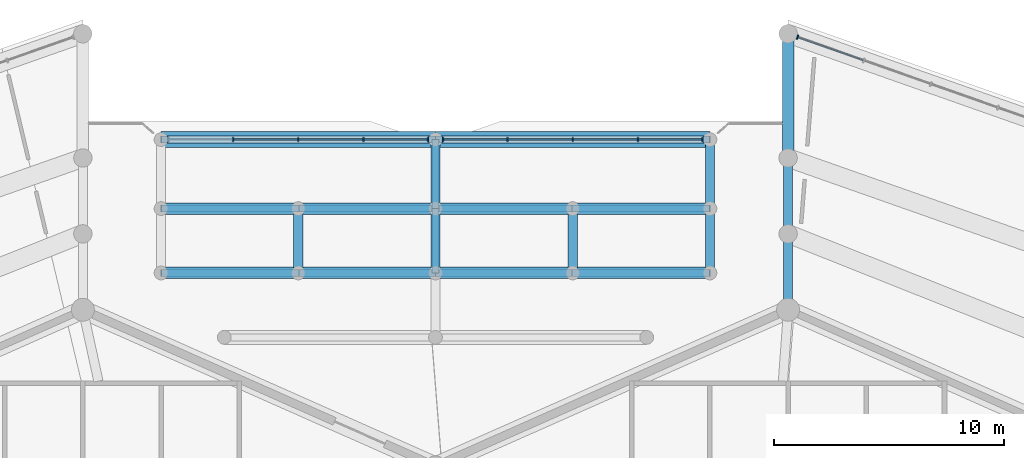
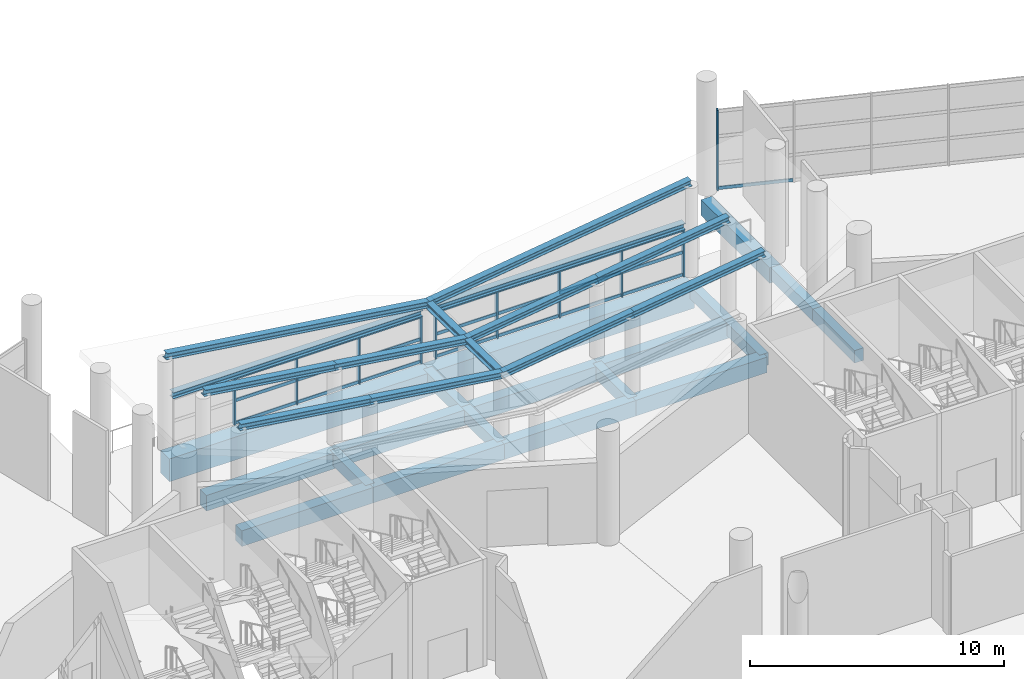
# One storey, part 89 of 271: 33 beams, 32 members, 3 elements without a shape of their own.
"""IFC4 building model written with IfcOpenShell, lengths in metres."""

from ifc_helpers import new_model, si_unit, direction, frame, origin, origin_2d, place, context, subcontext, project, spatial, rectangle, i_section, extrude, material, layer, layer_set, material_profile, profile_set, type_object, element, aggregate, save


model = new_model("IFC4")

# Units and contexts
model_context = context("Model", 3, precision=1e-05, world=origin(), true_north=direction((0.0, 1.0)))
body_context = subcontext(model_context, "Body", "Model", "MODEL_VIEW")
ifc_project = project(units=[si_unit("LENGTHUNIT", "METRE"), si_unit("AREAUNIT", "SQUARE_METRE"), si_unit("VOLUMEUNIT", "CUBIC_METRE"), si_unit("PLANEANGLEUNIT", "RADIAN"), si_unit("MASSUNIT", "GRAM", prefix="KILO")], contexts=[model_context])

# Site, building, storey
site_placement = place(None, origin())
site = spatial("IfcSite", under=ifc_project, at=site_placement, CompositionType="ELEMENT")
building_placement = place(site_placement, origin())
building = spatial("IfcBuilding", under=site, at=building_placement, Name="Meseta Stadium", CompositionType="ELEMENT")
storey_placement = place(building_placement, frame((0.0, 0.0, 6.5)))
storey = spatial("IfcBuildingStorey", under=building, at=storey_placement, Name="L01", CompositionType="ELEMENT", Elevation=6.5)

# Beams
ifc_material_1 = material(Name="Steel S355", Category="steel")
ifc_material_profile_1 = material_profile(ifc_material_1, i_section(OverallWidth=0.300048828125, OverallDepth=0.300048828125, WebThickness=0.010986328125, FlangeThickness=0.01904296875, FilletRadius=0.027099609375, at=origin_2d()), Name="HEB 300")
ifc_profile_set_1 = profile_set([ifc_material_profile_1], Name="Steel S355")
beam_type_1 = type_object("IfcBeamType", Name="Gate roof beam HEB 300", PredefinedType="BEAM", material=ifc_profile_set_1)
beam_1_placement = place(storey_placement, frame((-7.666748046875, 107.0, 2.875244140625), z_axis=(0.0, 0.999800721691, -0.019962888244), x_axis=(-1.0, 0.0, 0.0)))
element("IfcBeam", 1, at=beam_1_placement, inside=storey, type_object=beam_type_1, Name="Gate 3 valley beam", PredefinedType="BEAM", context=body_context, shape_type="SweptSolid", body=[
    extrude(i_section(OverallWidth=0.300048828125, OverallDepth=0.300048828125, WebThickness=0.010986328125, FlangeThickness=0.01904296875, FilletRadius=0.027099609375, at=origin_2d()), origin(), (0.0, 0.0, 1.0), 2.800537109375),
])
beam_2_placement = place(storey_placement, frame((-7.666748046875, 109.800048828125, 2.8193359375), z_axis=(0.0, 0.999799669399, -0.020015520725), x_axis=(-1.0, 0.0, 0.0)))
element("IfcBeam", 2, at=beam_2_placement, inside=storey, type_object=beam_type_1, Name="Gate 3 valley beam", PredefinedType="BEAM", context=body_context, shape_type="SweptSolid", body=[
    extrude(i_section(OverallWidth=0.300048828125, OverallDepth=0.300048828125, WebThickness=0.010986328125, FlangeThickness=0.01904296875, FilletRadius=0.027099609375, at=origin_2d()), origin(), (0.0, 0.0, 1.0), 3.00048828125),
])
beam_3_placement = place(storey_placement, frame((3.966796875, 112.800048828125, 2.44921875), z_axis=(-1.0, 0.0, 0.0), x_axis=(0.0, -1.0, 0.0)))
element("IfcBeam", 3, at=beam_3_placement, inside=storey, type_object=beam_type_1, Name="Gate 3 head beam", PredefinedType="BEAM", context=body_context, shape_type="SweptSolid", body=[
    extrude(i_section(OverallWidth=0.300048828125, OverallDepth=0.300048828125, WebThickness=0.010986328125, FlangeThickness=0.01904296875, FilletRadius=0.027099609375, at=origin_2d()), origin(), (0.0, 0.0, 1.0), 11.33349609375),
])
beam_4_placement = place(storey_placement, frame((-7.966796875, 112.800048828125, 2.44921875), z_axis=(-1.0, 0.0, 0.0), x_axis=(0.0, -1.0, 0.0)))
element("IfcBeam", 4, at=beam_4_placement, inside=storey, type_object=beam_type_1, Name="Gate 3 head beam", PredefinedType="BEAM", context=body_context, shape_type="SweptSolid", body=[
    extrude(i_section(OverallWidth=0.300048828125, OverallDepth=0.300048828125, WebThickness=0.010986328125, FlangeThickness=0.01904296875, FilletRadius=0.027099609375, at=origin_2d()), origin(), (0.0, 0.0, 1.0), 11.333251953125),
])
ifc_material_2 = material(Name="Steel S355", Category="steel")
ifc_material_profile_2 = material_profile(ifc_material_2, i_section(OverallWidth=0.300048828125, OverallDepth=0.300048828125, WebThickness=0.010986328125, FlangeThickness=0.01904296875, FilletRadius=0.027099609375, at=origin_2d()), Name="HEB 300")
ifc_profile_set_2 = profile_set([ifc_material_profile_2], Name="Steel S355")
beam_type_2 = type_object("IfcBeamType", Name="Gate roof beam HEB 300 rafter", PredefinedType="BEAM", material=ifc_profile_set_2)
beam_5_placement = place(storey_placement, frame((4.2666015625, 107.0, 4.5458984375), z_axis=(-0.990344306027, 0.0, -0.138629562213), x_axis=(0.0, -1.0, 0.0)))
element("IfcBeam", 5, at=beam_5_placement, inside=storey, type_object=beam_type_2, Name="Gate 3 roof rafter", PredefinedType="BEAM", context=body_context, shape_type="SweptSolid", body=[
    extrude(i_section(OverallWidth=0.300048828125, OverallDepth=0.300048828125, WebThickness=0.010986328125, FlangeThickness=0.01904296875, FilletRadius=0.027099609375, at=origin_2d()), origin(), (0.0, 0.0, 1.0), 6.024658203125),
])
beam_6_placement = place(storey_placement, frame((-1.699951171875, 107.0, 3.710693359375), z_axis=(-0.990339520978, 0.0, -0.13866374144), x_axis=(0.0, -1.0, 0.0)))
element("IfcBeam", 6, at=beam_6_placement, inside=storey, type_object=beam_type_2, Name="Gate 3 roof rafter", PredefinedType="BEAM", context=body_context, shape_type="SweptSolid", body=[
    extrude(i_section(OverallWidth=0.300048828125, OverallDepth=0.300048828125, WebThickness=0.010986328125, FlangeThickness=0.01904296875, FilletRadius=0.027099609375, at=origin_2d()), origin(), (0.0, 0.0, 1.0), 6.02490234375),
])
beam_7_placement = place(storey_placement, frame((-7.666748046875, 107.0, 2.875244140625), z_axis=(-0.990338741803, 0.0, 0.138669306209), x_axis=(0.0, -1.0, 0.0)))
element("IfcBeam", 7, at=beam_7_placement, inside=storey, type_object=beam_type_2, Name="Gate 3 roof rafter", PredefinedType="BEAM", context=body_context, shape_type="SweptSolid", body=[
    extrude(i_section(OverallWidth=0.300048828125, OverallDepth=0.300048828125, WebThickness=0.010986328125, FlangeThickness=0.01904296875, FilletRadius=0.027099609375, at=origin_2d()), origin(), (0.0, 0.0, 1.0), 6.024658203125),
])
beam_8_placement = place(storey_placement, frame((-13.63330078125, 107.0, 3.710693359375), z_axis=(-0.99034508476, 0.0, 0.138623998976), x_axis=(0.0, -1.0, 0.0)))
element("IfcBeam", 8, at=beam_8_placement, inside=storey, type_object=beam_type_2, Name="Gate 3 roof rafter", PredefinedType="BEAM", context=body_context, shape_type="SweptSolid", body=[
    extrude(i_section(OverallWidth=0.300048828125, OverallDepth=0.300048828125, WebThickness=0.010986328125, FlangeThickness=0.01904296875, FilletRadius=0.027099609375, at=origin_2d()), origin(), (0.0, 0.0, 1.0), 6.02490234375),
])
beam_9_placement = place(storey_placement, frame((4.2666015625, 109.800048828125, 4.489990234375), z_axis=(-0.990344306027, 0.0, -0.138629562213), x_axis=(0.0, -1.0, 0.0)))
element("IfcBeam", 9, at=beam_9_placement, inside=storey, type_object=beam_type_2, Name="Gate 3 roof rafter", PredefinedType="BEAM", context=body_context, shape_type="SweptSolid", body=[
    extrude(i_section(OverallWidth=0.300048828125, OverallDepth=0.300048828125, WebThickness=0.010986328125, FlangeThickness=0.01904296875, FilletRadius=0.027099609375, at=origin_2d()), origin(), (0.0, 0.0, 1.0), 6.024658203125),
])
beam_10_placement = place(storey_placement, frame((-1.699951171875, 109.800048828125, 3.65478515625), z_axis=(-0.990339520978, 0.0, -0.13866374144), x_axis=(0.0, -1.0, 0.0)))
element("IfcBeam", 10, at=beam_10_placement, inside=storey, type_object=beam_type_2, Name="Gate 3 roof rafter", PredefinedType="BEAM", context=body_context, shape_type="SweptSolid", body=[
    extrude(i_section(OverallWidth=0.300048828125, OverallDepth=0.300048828125, WebThickness=0.010986328125, FlangeThickness=0.01904296875, FilletRadius=0.027099609375, at=origin_2d()), origin(), (0.0, 0.0, 1.0), 6.02490234375),
])
beam_11_placement = place(storey_placement, frame((-7.666748046875, 109.800048828125, 2.8193359375), z_axis=(-0.990338741803, 0.0, 0.138669306209), x_axis=(0.0, -1.0, 0.0)))
element("IfcBeam", 11, at=beam_11_placement, inside=storey, type_object=beam_type_2, Name="Gate 3 roof rafter", PredefinedType="BEAM", context=body_context, shape_type="SweptSolid", body=[
    extrude(i_section(OverallWidth=0.300048828125, OverallDepth=0.300048828125, WebThickness=0.010986328125, FlangeThickness=0.01904296875, FilletRadius=0.027099609375, at=origin_2d()), origin(), (0.0, 0.0, 1.0), 6.024658203125),
])
beam_12_placement = place(storey_placement, frame((-13.63330078125, 109.800048828125, 3.65478515625), z_axis=(-0.99034508476, 0.0, 0.138623998976), x_axis=(0.0, -1.0, 0.0)))
element("IfcBeam", 12, at=beam_12_placement, inside=storey, type_object=beam_type_2, Name="Gate 3 roof rafter", PredefinedType="BEAM", context=body_context, shape_type="SweptSolid", body=[
    extrude(i_section(OverallWidth=0.300048828125, OverallDepth=0.300048828125, WebThickness=0.010986328125, FlangeThickness=0.01904296875, FilletRadius=0.027099609375, at=origin_2d()), origin(), (0.0, 0.0, 1.0), 6.02490234375),
])
for number, where, z_axis, x_axis, name in (
    (13, (4.2666015625, 112.800048828125, 4.429931640625), (-0.990341913595, 0.0, -0.138646652238), (0.0, -1.0, 0.0), "Gate 3 roof rafter"),
    (14, (-7.666748046875, 112.800048828125, 2.75927734375), (-0.990341913595, 0.0, 0.138646652238), (0.0, -1.0, 0.0), "Gate 3 roof rafter"),
):
    element("IfcBeam", number, at=place(storey_placement, frame(where, z_axis=z_axis, x_axis=x_axis)), inside=storey, type_object=beam_type_2, Name=name, PredefinedType="BEAM", context=body_context, shape_type="SweptSolid", body=[
        extrude(i_section(OverallWidth=0.300048828125, OverallDepth=0.300048828125, WebThickness=0.010986328125, FlangeThickness=0.01904296875, FilletRadius=0.027099609375, at=origin_2d()), origin(), (0.0, 0.0, 1.0), 12.0498046875),
    ])
ifc_material_3 = material(Name="Concrete C40/50", Category="concrete")
ifc_material_profile_3 = material_profile(ifc_material_3, rectangle(XDim=0.39990234375, YDim=0.60009765625, at=origin_2d()), Name="RC 400x600")
ifc_profile_set_3 = profile_set([ifc_material_profile_3], Name="Concrete C40/50")
beam_type_3 = type_object("IfcBeamType", Name="RC beam 400x600", PredefinedType="BEAM", material=ifc_profile_set_3)
for number, where, z_axis, x_axis, name in (
    (15, (7.666748046875, 105.39990234375, -0.64990234375), (0.0, 1.0, 0.0), (-1.0, 0.0, 0.0), "L01 radial beam frame 18 line R to M"),
    (16, (7.666748046875, 108.699951171875, -0.64990234375), (0.0, 1.0, 0.0), (-1.0, 0.0, 0.0), "L01 radial beam frame 18 line M to Q"),
):
    element("IfcBeam", number, at=place(storey_placement, frame(where, z_axis=z_axis, x_axis=x_axis)), inside=storey, type_object=beam_type_3, Name=name, PredefinedType="BEAM", context=body_context, shape_type="SweptSolid", body=[
        extrude(rectangle(XDim=0.39990234375, YDim=0.60009765625, at=origin_2d()), origin(), (0.0, 0.0, 1.0), 3.300048828125),
    ])
for number, where, z_axis, x_axis, name in (
    (17, (4.2666015625, 107.0, -0.64990234375), (0.0, 1.0, 0.0), (-1.0, 0.0, 0.0), "Gate 3 floor beam"),
    (18, (-1.699951171875, 107.0, -0.64990234375), (0.0, 1.0, 0.0), (-1.0, 0.0, 0.0), "Gate 3 floor beam"),
    (19, (-7.666748046875, 107.0, -0.64990234375), (0.0, 1.0, 0.0), (-1.0, 0.0, 0.0), "Gate 3 floor beam"),
    (20, (-13.63330078125, 107.0, -0.64990234375), (0.0, 1.0, 0.0), (-1.0, 0.0, 0.0), "Gate 3 floor beam"),
):
    element("IfcBeam", number, at=place(storey_placement, frame(where, z_axis=z_axis, x_axis=x_axis)), inside=storey, type_object=beam_type_3, Name=name, PredefinedType="BEAM", context=body_context, shape_type="SweptSolid", body=[
        extrude(rectangle(XDim=0.39990234375, YDim=0.60009765625, at=origin_2d()), origin(), (0.0, 0.0, 1.0), 2.800048828125),
    ])
for number, where, z_axis, x_axis, name in (
    (21, (4.2666015625, 109.800048828125, -0.64990234375), (0.0, 1.0, 0.0), (-1.0, 0.0, 0.0), "Gate 3 floor beam"),
    (22, (-7.666748046875, 109.800048828125, -0.64990234375), (0.0, 1.0, 0.0), (-1.0, 0.0, 0.0), "Gate 3 floor beam"),
):
    element("IfcBeam", number, at=place(storey_placement, frame(where, z_axis=z_axis, x_axis=x_axis)), inside=storey, type_object=beam_type_3, Name=name, PredefinedType="BEAM", context=body_context, shape_type="SweptSolid", body=[
        extrude(rectangle(XDim=0.39990234375, YDim=0.60009765625, at=origin_2d()), origin(), (0.0, 0.0, 1.0), 3.0),
    ])
ifc_material_4 = material(Name="Concrete C40/50", Category="concrete")
ifc_material_profile_4 = material_profile(ifc_material_4, rectangle(XDim=0.5, YDim=0.75, at=origin_2d()), Name="RC 500x750")
ifc_profile_set_4 = profile_set([ifc_material_profile_4], Name="Concrete C40/50")
beam_type_4 = type_object("IfcBeamType", Name="RC beam 500x750", PredefinedType="BEAM", material=ifc_profile_set_4)
beam_13_placement = place(storey_placement, frame((7.666748046875, 112.0, -0.72509765625), z_axis=(0.0, 1.0, 0.0), x_axis=(-1.0, 0.0, 0.0)))
element("IfcBeam", 23, at=beam_13_placement, inside=storey, type_object=beam_type_4, Name="L01 radial beam frame 18 line Q to O", PredefinedType="BEAM", context=body_context, shape_type="SweptSolid", body=[
    extrude(rectangle(XDim=0.5, YDim=0.75, at=origin_2d()), origin(), (0.0, 0.0, 1.0), 5.39990234375),
])
beam_14_placement = place(storey_placement, frame((4.2666015625, 107.0, -0.72509765625), z_axis=(-1.0, 0.0, 0.0), x_axis=(0.0, -1.0, 0.0)))
element("IfcBeam", 24, at=beam_14_placement, inside=storey, type_object=beam_type_4, Name="Gate 3 floor beam", PredefinedType="BEAM", context=body_context, shape_type="SweptSolid", body=[
    extrude(rectangle(XDim=0.5, YDim=0.75, at=origin_2d()), origin(), (0.0, 0.0, 1.0), 5.966552734375),
])
beam_15_placement = place(storey_placement, frame((-1.699951171875, 107.0, -0.72509765625), z_axis=(-1.0, 0.0, 0.0), x_axis=(0.0, -1.0, 0.0)))
element("IfcBeam", 25, at=beam_15_placement, inside=storey, type_object=beam_type_4, Name="Gate 3 floor beam", PredefinedType="BEAM", context=body_context, shape_type="SweptSolid", body=[
    extrude(rectangle(XDim=0.5, YDim=0.75, at=origin_2d()), origin(), (0.0, 0.0, 1.0), 5.966796875),
])
beam_16_placement = place(storey_placement, frame((-7.666748046875, 107.0, -0.72509765625), z_axis=(-1.0, 0.0, 0.0), x_axis=(0.0, -1.0, 0.0)))
element("IfcBeam", 26, at=beam_16_placement, inside=storey, type_object=beam_type_4, Name="Gate 3 floor beam", PredefinedType="BEAM", context=body_context, shape_type="SweptSolid", body=[
    extrude(rectangle(XDim=0.5, YDim=0.75, at=origin_2d()), origin(), (0.0, 0.0, 1.0), 5.966552734375),
])
beam_17_placement = place(storey_placement, frame((-13.63330078125, 107.0, -0.72509765625), z_axis=(-1.0, 0.0, 0.0), x_axis=(0.0, -1.0, 0.0)))
element("IfcBeam", 27, at=beam_17_placement, inside=storey, type_object=beam_type_4, Name="Gate 3 floor beam", PredefinedType="BEAM", context=body_context, shape_type="SweptSolid", body=[
    extrude(rectangle(XDim=0.5, YDim=0.75, at=origin_2d()), origin(), (0.0, 0.0, 1.0), 5.966796875),
])
beam_18_placement = place(storey_placement, frame((4.2666015625, 109.800048828125, -0.72509765625), z_axis=(-1.0, 0.0, 0.0), x_axis=(0.0, -1.0, 0.0)))
element("IfcBeam", 28, at=beam_18_placement, inside=storey, type_object=beam_type_4, Name="Gate 3 floor beam", PredefinedType="BEAM", context=body_context, shape_type="SweptSolid", body=[
    extrude(rectangle(XDim=0.5, YDim=0.75, at=origin_2d()), origin(), (0.0, 0.0, 1.0), 5.966552734375),
])
beam_19_placement = place(storey_placement, frame((-1.699951171875, 109.800048828125, -0.72509765625), z_axis=(-1.0, 0.0, 0.0), x_axis=(0.0, -1.0, 0.0)))
element("IfcBeam", 29, at=beam_19_placement, inside=storey, type_object=beam_type_4, Name="Gate 3 floor beam", PredefinedType="BEAM", context=body_context, shape_type="SweptSolid", body=[
    extrude(rectangle(XDim=0.5, YDim=0.75, at=origin_2d()), origin(), (0.0, 0.0, 1.0), 5.966796875),
])
beam_20_placement = place(storey_placement, frame((-7.666748046875, 109.800048828125, -0.72509765625), z_axis=(-1.0, 0.0, 0.0), x_axis=(0.0, -1.0, 0.0)))
element("IfcBeam", 30, at=beam_20_placement, inside=storey, type_object=beam_type_4, Name="Gate 3 floor beam", PredefinedType="BEAM", context=body_context, shape_type="SweptSolid", body=[
    extrude(rectangle(XDim=0.5, YDim=0.75, at=origin_2d()), origin(), (0.0, 0.0, 1.0), 5.966552734375),
])
beam_21_placement = place(storey_placement, frame((-13.63330078125, 109.800048828125, -0.72509765625), z_axis=(-1.0, 0.0, 0.0), x_axis=(0.0, -1.0, 0.0)))
element("IfcBeam", 31, at=beam_21_placement, inside=storey, type_object=beam_type_4, Name="Gate 3 floor beam", PredefinedType="BEAM", context=body_context, shape_type="SweptSolid", body=[
    extrude(rectangle(XDim=0.5, YDim=0.75, at=origin_2d()), origin(), (0.0, 0.0, 1.0), 5.966796875),
])
ifc_material_5 = material(Name="Concrete C40/50", Category="concrete")
ifc_material_profile_5 = material_profile(ifc_material_5, rectangle(XDim=0.699951171875, YDim=1.10009765625, at=origin_2d()), Name="RC 700x1100")
ifc_profile_set_5 = profile_set([ifc_material_profile_5], Name="Concrete C40/50")
beam_type_5 = type_object("IfcBeamType", Name="RC beam 700x1100", PredefinedType="BEAM", material=ifc_profile_set_5)
for number, where, z_axis, x_axis, name in (
    (32, (4.2666015625, 112.800048828125, -0.89990234375), (-1.0, 0.0, 0.0), (0.0, -1.0, 0.0), "Gate 3 floor beam"),
    (33, (-7.666748046875, 112.800048828125, -0.89990234375), (-1.0, 0.0, 0.0), (0.0, -1.0, 0.0), "Gate 3 floor beam"),
):
    element("IfcBeam", number, at=place(storey_placement, frame(where, z_axis=z_axis, x_axis=x_axis)), inside=storey, type_object=beam_type_5, Name=name, PredefinedType="BEAM", context=body_context, shape_type="SweptSolid", body=[
        extrude(rectangle(XDim=0.699951171875, YDim=1.10009765625, at=origin_2d()), origin(), (0.0, 0.0, 1.0), 11.933349609375),
    ])

# Curtain wall, member
ifc_material_6 = material(Name="Aluminium", Category="aluminium")
ifc_layer_1 = layer(ifc_material_6, 0.199951171875)
ifc_layer_set_1 = layer_set([ifc_layer_1], Name="Ring shopfront curtain wall")
curtain_wall_type_1 = type_object("IfcCurtainWallType", Name="Ring shopfront curtain wall", PredefinedType="NOTDEFINED", material=ifc_layer_set_1)
curtain_wall_1_placement = place(storey_placement, origin())
curtain_wall_1 = element("IfcCurtainWall", 34, at=curtain_wall_1_placement, inside=storey, type_object=curtain_wall_type_1, Name="Ring glazing L01 F17", PredefinedType="NOTDEFINED")
ifc_material_7 = material(Name="Aluminium", Category="aluminium")
ifc_material_profile_6 = material_profile(ifc_material_7, rectangle(XDim=0.199951171875, YDim=0.06005859375, at=origin_2d()), Name="CW 200x60")
ifc_profile_set_6 = profile_set([ifc_material_profile_6], Name="Aluminium")
member_type_1 = type_object("IfcMemberType", Name="Ring CW mullion 60x200", PredefinedType="MULLION", material=ifc_profile_set_6)
member_1_placement = place(storey_placement, frame((8.072265625, 117.257080078125, 0.0), z_axis=(0.0, 0.0, 1.0), x_axis=(-0.332174330154, -0.943218009999, 0.0)))
member_1 = element("IfcMember", 35, at=member_1_placement, type_object=member_type_1, Name="CWR1 mullion 6", PredefinedType="MULLION", context=body_context, shape_type="SweptSolid", body=[
    extrude(rectangle(XDim=0.199951171875, YDim=0.06005859375, at=origin_2d()), origin(), (0.0, 0.0, 1.0), 3.85009765625),
])

# Curtain wall, members
ifc_material_8 = material(Name="Aluminium", Category="aluminium")
ifc_layer_2 = layer(ifc_material_8, 0.199951171875)
ifc_layer_set_2 = layer_set([ifc_layer_2], Name="Gate hall curtain wall")
curtain_wall_type_2 = type_object("IfcCurtainWallType", Name="Gate hall curtain wall", PredefinedType="NOTDEFINED", material=ifc_layer_set_2)
curtain_wall_2_placement = place(storey_placement, origin())
curtain_wall_2 = element("IfcCurtainWall", 36, at=curtain_wall_2_placement, inside=storey, type_object=curtain_wall_type_2, Name="Gate 3 hall glazing", PredefinedType="NOTDEFINED")
member_2_placement = place(storey_placement, frame((-7.336669921875, 112.800048828125, 0.0), z_axis=(0.0, 0.0, 1.0), x_axis=(0.0, 1.0, 0.0)))
member_2 = element("IfcMember", 37, at=member_2_placement, type_object=member_type_1, Name="CWG1 mullion 1", PredefinedType="MULLION", context=body_context, shape_type="SweptSolid", body=[
    extrude(rectangle(XDim=0.199951171875, YDim=0.06005859375, at=origin_2d()), origin(), (0.0, 0.0, 1.0), 2.29931640625),
])
member_3_placement = place(storey_placement, frame((-4.533447265625, 112.800048828125, 0.0), z_axis=(0.0, 0.0, 1.0), x_axis=(0.0, 1.0, 0.0)))
member_3 = element("IfcMember", 38, at=member_3_placement, type_object=member_type_1, Name="CWG1 mullion 2", PredefinedType="MULLION", context=body_context, shape_type="SweptSolid", body=[
    extrude(rectangle(XDim=0.199951171875, YDim=0.06005859375, at=origin_2d()), origin(), (0.0, 0.0, 1.0), 2.29931640625),
])
member_4_placement = place(storey_placement, frame((-1.699951171875, 112.800048828125, 0.0), z_axis=(0.0, 0.0, 1.0), x_axis=(0.0, 1.0, 0.0)))
member_4 = element("IfcMember", 39, at=member_4_placement, type_object=member_type_1, Name="CWG1 mullion 3", PredefinedType="MULLION", context=body_context, shape_type="SweptSolid", body=[
    extrude(rectangle(XDim=0.199951171875, YDim=0.06005859375, at=origin_2d()), origin(), (0.0, 0.0, 1.0), 2.29931640625),
])
member_5_placement = place(storey_placement, frame((1.13330078125, 112.800048828125, 0.0), z_axis=(0.0, 0.0, 1.0), x_axis=(0.0, 1.0, 0.0)))
member_5 = element("IfcMember", 40, at=member_5_placement, type_object=member_type_1, Name="CWG1 mullion 4", PredefinedType="MULLION", context=body_context, shape_type="SweptSolid", body=[
    extrude(rectangle(XDim=0.199951171875, YDim=0.06005859375, at=origin_2d()), origin(), (0.0, 0.0, 1.0), 2.29931640625),
])
member_6_placement = place(storey_placement, frame((3.936767578125, 112.800048828125, 0.0), z_axis=(0.0, 0.0, 1.0), x_axis=(0.0, 1.0, 0.0)))
member_6 = element("IfcMember", 41, at=member_6_placement, type_object=member_type_1, Name="CWG1 mullion 5", PredefinedType="MULLION", context=body_context, shape_type="SweptSolid", body=[
    extrude(rectangle(XDim=0.199951171875, YDim=0.06005859375, at=origin_2d()), origin(), (0.0, 0.0, 1.0), 2.29931640625),
])

curtain_wall_3_placement = place(storey_placement, origin())
curtain_wall_3 = element("IfcCurtainWall", 42, at=curtain_wall_3_placement, inside=storey, type_object=curtain_wall_type_2, Name="Gate 3 hall glazing", PredefinedType="NOTDEFINED")
member_7_placement = place(storey_placement, frame((-16.466796875, 112.800048828125, 0.0), z_axis=(0.0, 0.0, 1.0), x_axis=(0.0, 1.0, 0.0)))
member_7 = element("IfcMember", 43, at=member_7_placement, type_object=member_type_1, Name="CWG1 mullion 2", PredefinedType="MULLION", context=body_context, shape_type="SweptSolid", body=[
    extrude(rectangle(XDim=0.199951171875, YDim=0.06005859375, at=origin_2d()), origin(), (0.0, 0.0, 1.0), 2.29931640625),
])
member_8_placement = place(storey_placement, frame((-13.63330078125, 112.800048828125, 0.0), z_axis=(0.0, 0.0, 1.0), x_axis=(0.0, 1.0, 0.0)))
member_8 = element("IfcMember", 44, at=member_8_placement, type_object=member_type_1, Name="CWG1 mullion 3", PredefinedType="MULLION", context=body_context, shape_type="SweptSolid", body=[
    extrude(rectangle(XDim=0.199951171875, YDim=0.06005859375, at=origin_2d()), origin(), (0.0, 0.0, 1.0), 2.29931640625),
])
member_9_placement = place(storey_placement, frame((-10.800048828125, 112.800048828125, 0.0), z_axis=(0.0, 0.0, 1.0), x_axis=(0.0, 1.0, 0.0)))
member_9 = element("IfcMember", 45, at=member_9_placement, type_object=member_type_1, Name="CWG1 mullion 4", PredefinedType="MULLION", context=body_context, shape_type="SweptSolid", body=[
    extrude(rectangle(XDim=0.199951171875, YDim=0.06005859375, at=origin_2d()), origin(), (0.0, 0.0, 1.0), 2.29931640625),
])
member_10_placement = place(storey_placement, frame((-7.99658203125, 112.800048828125, 0.0), z_axis=(0.0, 0.0, 1.0), x_axis=(0.0, 1.0, 0.0)))
member_10 = element("IfcMember", 46, at=member_10_placement, type_object=member_type_1, Name="CWG1 mullion 5", PredefinedType="MULLION", context=body_context, shape_type="SweptSolid", body=[
    extrude(rectangle(XDim=0.199951171875, YDim=0.06005859375, at=origin_2d()), origin(), (0.0, 0.0, 1.0), 2.29931640625),
])

# Member
ifc_material_9 = material(Name="Aluminium", Category="aluminium")
ifc_material_profile_7 = material_profile(ifc_material_9, rectangle(XDim=0.06005859375, YDim=0.14990234375, at=origin_2d()), Name="CW 60x150")
ifc_profile_set_7 = profile_set([ifc_material_profile_7], Name="Aluminium")
member_type_2 = type_object("IfcMemberType", Name="Ring CW transom 60x150", PredefinedType="USERDEFINED", material=ifc_profile_set_7)
member_11_placement = place(storey_placement, frame((10.931396484375, 116.250244140625, 0.074951171875), z_axis=(-0.943228878245, 0.332143467863, 0.0), x_axis=(-0.332143467863, -0.943228878245, 0.0)))
member_11 = element("IfcMember", 47, at=member_11_placement, type_object=member_type_2, Name="CWR1 transom 5.1", ObjectType="TRANSOM", PredefinedType="USERDEFINED", context=body_context, shape_type="SweptSolid", body=[
    extrude(rectangle(XDim=0.06005859375, YDim=0.14990234375, at=origin_2d()), origin(), (0.0, 0.0, 1.0), 3.001220703125),
])

aggregate(curtain_wall_1, [member_1, member_11])

member_12_placement = place(storey_placement, frame((-7.306640625, 112.800048828125, 0.074951171875), z_axis=(1.0, 0.0, 0.0), x_axis=(0.0, 1.0, 0.0)))
member_12 = element("IfcMember", 48, at=member_12_placement, type_object=member_type_2, Name="CWG1 transom 1.1", ObjectType="TRANSOM", PredefinedType="USERDEFINED", context=body_context, shape_type="SweptSolid", body=[
    extrude(rectangle(XDim=0.06005859375, YDim=0.14990234375, at=origin_2d()), origin(), (0.0, 0.0, 1.0), 2.743408203125),
])

member_13_placement = place(storey_placement, frame((-7.306640625, 112.800048828125, 1.149658203125), z_axis=(1.0, 0.0, 0.0), x_axis=(0.0, 1.0, 0.0)))
member_13 = element("IfcMember", 49, at=member_13_placement, type_object=member_type_2, Name="CWG1 transom 1.2", ObjectType="TRANSOM", PredefinedType="USERDEFINED", context=body_context, shape_type="SweptSolid", body=[
    extrude(rectangle(XDim=0.06005859375, YDim=0.14990234375, at=origin_2d()), origin(), (0.0, 0.0, 1.0), 2.743408203125),
])

member_14_placement = place(storey_placement, frame((-7.306640625, 112.800048828125, 2.224365234375), z_axis=(1.0, 0.0, 0.0), x_axis=(0.0, 1.0, 0.0)))
member_14 = element("IfcMember", 50, at=member_14_placement, type_object=member_type_2, Name="CWG1 transom 1.3", ObjectType="TRANSOM", PredefinedType="USERDEFINED", context=body_context, shape_type="SweptSolid", body=[
    extrude(rectangle(XDim=0.06005859375, YDim=0.14990234375, at=origin_2d()), origin(), (0.0, 0.0, 1.0), 2.743408203125),
])

member_15_placement = place(storey_placement, frame((-4.50341796875, 112.800048828125, 0.074951171875), z_axis=(1.0, 0.0, 0.0), x_axis=(0.0, 1.0, 0.0)))
member_15 = element("IfcMember", 51, at=member_15_placement, type_object=member_type_2, Name="CWG1 transom 2.1", ObjectType="TRANSOM", PredefinedType="USERDEFINED", context=body_context, shape_type="SweptSolid", body=[
    extrude(rectangle(XDim=0.06005859375, YDim=0.14990234375, at=origin_2d()), origin(), (0.0, 0.0, 1.0), 2.7734375),
])

member_16_placement = place(storey_placement, frame((-4.50341796875, 112.800048828125, 1.149658203125), z_axis=(1.0, 0.0, 0.0), x_axis=(0.0, 1.0, 0.0)))
member_16 = element("IfcMember", 52, at=member_16_placement, type_object=member_type_2, Name="CWG1 transom 2.2", ObjectType="TRANSOM", PredefinedType="USERDEFINED", context=body_context, shape_type="SweptSolid", body=[
    extrude(rectangle(XDim=0.06005859375, YDim=0.14990234375, at=origin_2d()), origin(), (0.0, 0.0, 1.0), 2.7734375),
])

member_17_placement = place(storey_placement, frame((-4.50341796875, 112.800048828125, 2.224365234375), z_axis=(1.0, 0.0, 0.0), x_axis=(0.0, 1.0, 0.0)))
member_17 = element("IfcMember", 53, at=member_17_placement, type_object=member_type_2, Name="CWG1 transom 2.3", ObjectType="TRANSOM", PredefinedType="USERDEFINED", context=body_context, shape_type="SweptSolid", body=[
    extrude(rectangle(XDim=0.06005859375, YDim=0.14990234375, at=origin_2d()), origin(), (0.0, 0.0, 1.0), 2.7734375),
])

member_18_placement = place(storey_placement, frame((-1.669921875, 112.800048828125, 0.074951171875), z_axis=(1.0, 0.0, 0.0), x_axis=(0.0, 1.0, 0.0)))
member_18 = element("IfcMember", 54, at=member_18_placement, type_object=member_type_2, Name="CWG1 transom 3.1", ObjectType="TRANSOM", PredefinedType="USERDEFINED", context=body_context, shape_type="SweptSolid", body=[
    extrude(rectangle(XDim=0.06005859375, YDim=0.14990234375, at=origin_2d()), origin(), (0.0, 0.0, 1.0), 2.773193359375),
])

member_19_placement = place(storey_placement, frame((-1.669921875, 112.800048828125, 1.149658203125), z_axis=(1.0, 0.0, 0.0), x_axis=(0.0, 1.0, 0.0)))
member_19 = element("IfcMember", 55, at=member_19_placement, type_object=member_type_2, Name="CWG1 transom 3.2", ObjectType="TRANSOM", PredefinedType="USERDEFINED", context=body_context, shape_type="SweptSolid", body=[
    extrude(rectangle(XDim=0.06005859375, YDim=0.14990234375, at=origin_2d()), origin(), (0.0, 0.0, 1.0), 2.773193359375),
])

member_20_placement = place(storey_placement, frame((-1.669921875, 112.800048828125, 2.224365234375), z_axis=(1.0, 0.0, 0.0), x_axis=(0.0, 1.0, 0.0)))
member_20 = element("IfcMember", 56, at=member_20_placement, type_object=member_type_2, Name="CWG1 transom 3.3", ObjectType="TRANSOM", PredefinedType="USERDEFINED", context=body_context, shape_type="SweptSolid", body=[
    extrude(rectangle(XDim=0.06005859375, YDim=0.14990234375, at=origin_2d()), origin(), (0.0, 0.0, 1.0), 2.773193359375),
])

member_21_placement = place(storey_placement, frame((1.163330078125, 112.800048828125, 0.074951171875), z_axis=(1.0, 0.0, 0.0), x_axis=(0.0, 1.0, 0.0)))
member_21 = element("IfcMember", 57, at=member_21_placement, type_object=member_type_2, Name="CWG1 transom 4.1", ObjectType="TRANSOM", PredefinedType="USERDEFINED", context=body_context, shape_type="SweptSolid", body=[
    extrude(rectangle(XDim=0.06005859375, YDim=0.14990234375, at=origin_2d()), origin(), (0.0, 0.0, 1.0), 2.743408203125),
])

member_22_placement = place(storey_placement, frame((1.163330078125, 112.800048828125, 1.149658203125), z_axis=(1.0, 0.0, 0.0), x_axis=(0.0, 1.0, 0.0)))
member_22 = element("IfcMember", 58, at=member_22_placement, type_object=member_type_2, Name="CWG1 transom 4.2", ObjectType="TRANSOM", PredefinedType="USERDEFINED", context=body_context, shape_type="SweptSolid", body=[
    extrude(rectangle(XDim=0.06005859375, YDim=0.14990234375, at=origin_2d()), origin(), (0.0, 0.0, 1.0), 2.743408203125),
])

member_23_placement = place(storey_placement, frame((1.163330078125, 112.800048828125, 2.224365234375), z_axis=(1.0, 0.0, 0.0), x_axis=(0.0, 1.0, 0.0)))
member_23 = element("IfcMember", 59, at=member_23_placement, type_object=member_type_2, Name="CWG1 transom 4.3", ObjectType="TRANSOM", PredefinedType="USERDEFINED", context=body_context, shape_type="SweptSolid", body=[
    extrude(rectangle(XDim=0.06005859375, YDim=0.14990234375, at=origin_2d()), origin(), (0.0, 0.0, 1.0), 2.743408203125),
])

aggregate(curtain_wall_2, [member_2, member_3, member_4, member_5, member_6, member_12, member_13, member_14, member_15, member_16, member_17, member_18, member_19, member_20, member_21, member_22, member_23])

member_24_placement = place(storey_placement, frame((-16.436767578125, 112.800048828125, 0.074951171875), z_axis=(1.0, 0.0, 0.0), x_axis=(0.0, 1.0, 0.0)))
member_24 = element("IfcMember", 60, at=member_24_placement, type_object=member_type_2, Name="CWG1 transom 2.1", ObjectType="TRANSOM", PredefinedType="USERDEFINED", context=body_context, shape_type="SweptSolid", body=[
    extrude(rectangle(XDim=0.06005859375, YDim=0.14990234375, at=origin_2d()), origin(), (0.0, 0.0, 1.0), 2.7734375),
])

member_25_placement = place(storey_placement, frame((-16.436767578125, 112.800048828125, 1.149658203125), z_axis=(1.0, 0.0, 0.0), x_axis=(0.0, 1.0, 0.0)))
member_25 = element("IfcMember", 61, at=member_25_placement, type_object=member_type_2, Name="CWG1 transom 2.2", ObjectType="TRANSOM", PredefinedType="USERDEFINED", context=body_context, shape_type="SweptSolid", body=[
    extrude(rectangle(XDim=0.06005859375, YDim=0.14990234375, at=origin_2d()), origin(), (0.0, 0.0, 1.0), 2.7734375),
])

member_26_placement = place(storey_placement, frame((-16.436767578125, 112.800048828125, 2.224365234375), z_axis=(1.0, 0.0, 0.0), x_axis=(0.0, 1.0, 0.0)))
member_26 = element("IfcMember", 62, at=member_26_placement, type_object=member_type_2, Name="CWG1 transom 2.3", ObjectType="TRANSOM", PredefinedType="USERDEFINED", context=body_context, shape_type="SweptSolid", body=[
    extrude(rectangle(XDim=0.06005859375, YDim=0.14990234375, at=origin_2d()), origin(), (0.0, 0.0, 1.0), 2.7734375),
])

member_27_placement = place(storey_placement, frame((-13.603271484375, 112.800048828125, 0.074951171875), z_axis=(1.0, 0.0, 0.0), x_axis=(0.0, 1.0, 0.0)))
member_27 = element("IfcMember", 63, at=member_27_placement, type_object=member_type_2, Name="CWG1 transom 3.1", ObjectType="TRANSOM", PredefinedType="USERDEFINED", context=body_context, shape_type="SweptSolid", body=[
    extrude(rectangle(XDim=0.06005859375, YDim=0.14990234375, at=origin_2d()), origin(), (0.0, 0.0, 1.0), 2.773193359375),
])

member_28_placement = place(storey_placement, frame((-13.603271484375, 112.800048828125, 1.149658203125), z_axis=(1.0, 0.0, 0.0), x_axis=(0.0, 1.0, 0.0)))
member_28 = element("IfcMember", 64, at=member_28_placement, type_object=member_type_2, Name="CWG1 transom 3.2", ObjectType="TRANSOM", PredefinedType="USERDEFINED", context=body_context, shape_type="SweptSolid", body=[
    extrude(rectangle(XDim=0.06005859375, YDim=0.14990234375, at=origin_2d()), origin(), (0.0, 0.0, 1.0), 2.773193359375),
])

member_29_placement = place(storey_placement, frame((-13.603271484375, 112.800048828125, 2.224365234375), z_axis=(1.0, 0.0, 0.0), x_axis=(0.0, 1.0, 0.0)))
member_29 = element("IfcMember", 65, at=member_29_placement, type_object=member_type_2, Name="CWG1 transom 3.3", ObjectType="TRANSOM", PredefinedType="USERDEFINED", context=body_context, shape_type="SweptSolid", body=[
    extrude(rectangle(XDim=0.06005859375, YDim=0.14990234375, at=origin_2d()), origin(), (0.0, 0.0, 1.0), 2.773193359375),
])

member_30_placement = place(storey_placement, frame((-10.77001953125, 112.800048828125, 0.074951171875), z_axis=(1.0, 0.0, 0.0), x_axis=(0.0, 1.0, 0.0)))
member_30 = element("IfcMember", 66, at=member_30_placement, type_object=member_type_2, Name="CWG1 transom 4.1", ObjectType="TRANSOM", PredefinedType="USERDEFINED", context=body_context, shape_type="SweptSolid", body=[
    extrude(rectangle(XDim=0.06005859375, YDim=0.14990234375, at=origin_2d()), origin(), (0.0, 0.0, 1.0), 2.743408203125),
])

member_31_placement = place(storey_placement, frame((-10.77001953125, 112.800048828125, 1.149658203125), z_axis=(1.0, 0.0, 0.0), x_axis=(0.0, 1.0, 0.0)))
member_31 = element("IfcMember", 67, at=member_31_placement, type_object=member_type_2, Name="CWG1 transom 4.2", ObjectType="TRANSOM", PredefinedType="USERDEFINED", context=body_context, shape_type="SweptSolid", body=[
    extrude(rectangle(XDim=0.06005859375, YDim=0.14990234375, at=origin_2d()), origin(), (0.0, 0.0, 1.0), 2.743408203125),
])

member_32_placement = place(storey_placement, frame((-10.77001953125, 112.800048828125, 2.224365234375), z_axis=(1.0, 0.0, 0.0), x_axis=(0.0, 1.0, 0.0)))
member_32 = element("IfcMember", 68, at=member_32_placement, type_object=member_type_2, Name="CWG1 transom 4.3", ObjectType="TRANSOM", PredefinedType="USERDEFINED", context=body_context, shape_type="SweptSolid", body=[
    extrude(rectangle(XDim=0.06005859375, YDim=0.14990234375, at=origin_2d()), origin(), (0.0, 0.0, 1.0), 2.743408203125),
])

aggregate(curtain_wall_3, [member_7, member_8, member_9, member_10, member_24, member_25, member_26, member_27, member_28, member_29, member_30, member_31, member_32])

save(model, "model.ifc")
